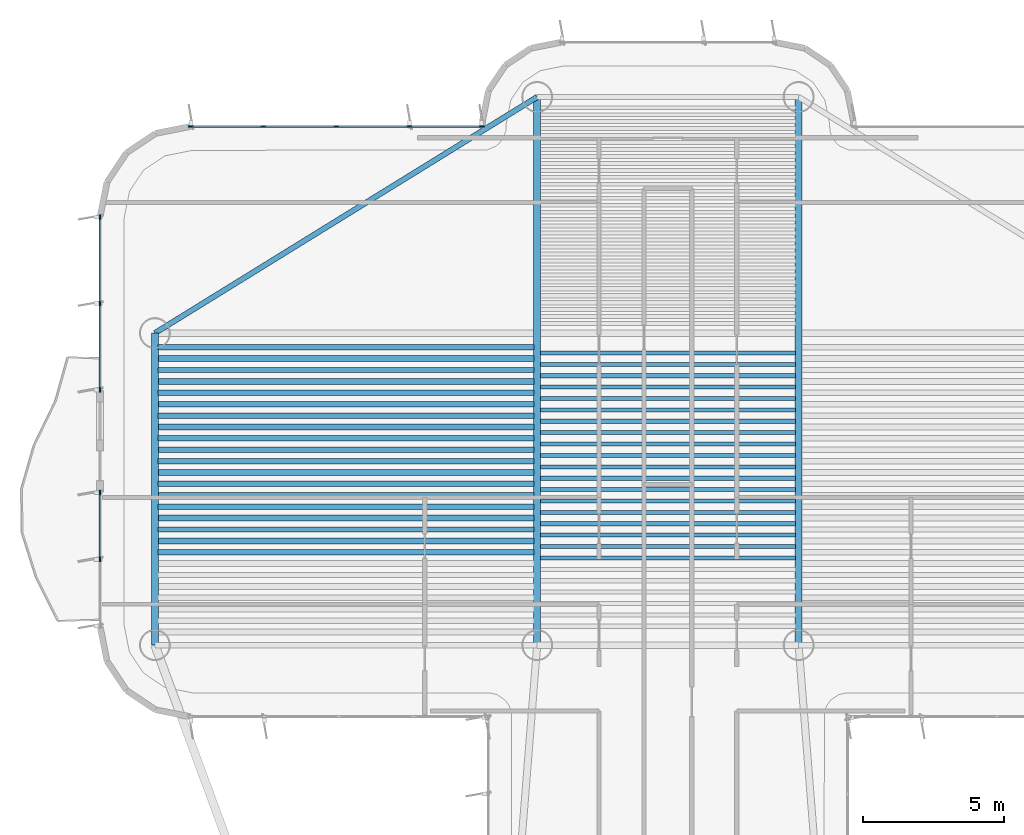
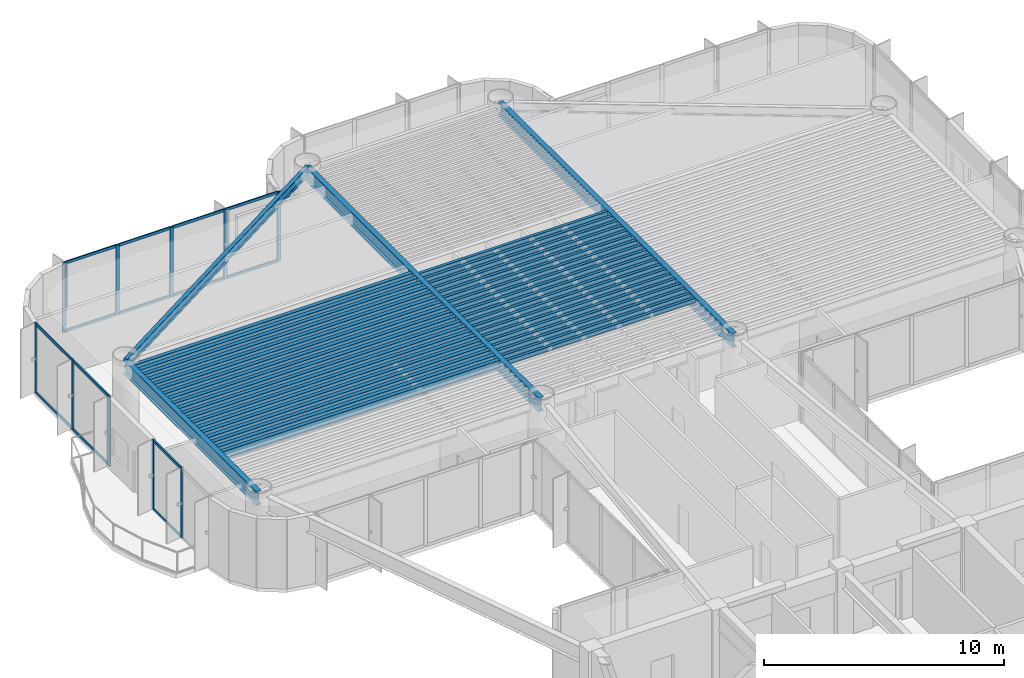
# One storey, part 5 of 14: 42 beams, 24 members, 3 elements without a shape of their own.
"""IFC4 building model written with IfcOpenShell, lengths in metres."""

from ifc_helpers import new_model, si_unit, direction, frame, origin, origin_2d, place, context, subcontext, project, spatial, rectangle, i_section, extrude, source, transform, mapped, material, layer, layer_set, material_profile, profile_set, type_object, element, aggregate, save


model = new_model("IFC4")

# Units and contexts
model_context = context("Model", 3, precision=1e-05, world=origin(), true_north=direction((0.0, 1.0)))
body_context = subcontext(model_context, "Body", "Model", "MODEL_VIEW")
ifc_project = project(units=[si_unit("LENGTHUNIT", "METRE"), si_unit("AREAUNIT", "SQUARE_METRE"), si_unit("VOLUMEUNIT", "CUBIC_METRE"), si_unit("PLANEANGLEUNIT", "RADIAN"), si_unit("MASSUNIT", "GRAM", prefix="KILO")], contexts=[model_context])

# Site, building, storey
site_placement = place(None, origin())
site = spatial("IfcSite", under=ifc_project, at=site_placement, CompositionType="ELEMENT")
building_placement = place(site_placement, origin())
building = spatial("IfcBuilding", under=site, at=building_placement, Name="Brelvock Crest Care Tower", CompositionType="ELEMENT")
storey_placement = place(building_placement, frame((0.0, 0.0, 175.320068359375)))
storey = spatial("IfcBuildingStorey", under=building, at=storey_placement, Name="L44", CompositionType="ELEMENT", Elevation=175.320068359375)

# Beams
ifc_material_1 = material(Name="Steel Grade 350", Category="steel")
ifc_material_profile_1 = material_profile(ifc_material_1, i_section(OverallWidth=0.14599609375, OverallDepth=0.256103515625, WebThickness=0.00634765625, FlangeThickness=0.010986328125, FilletRadius=0.0087890625, at=origin_2d()), Name="250UB37.3")
ifc_profile_set_1 = profile_set([ifc_material_profile_1], Name="Steel Grade 350")
beam_type_1 = type_object("IfcBeamType", Name="BM-J3", PredefinedType="JOIST", material=ifc_profile_set_1)
shared_shape_1 = source(origin(), body_context, "Body", "SweptSolid", [
    extrude(i_section(OverallWidth=0.14599609375, OverallDepth=0.256103515625, WebThickness=0.00634765625, FlangeThickness=0.010986328125, FilletRadius=0.0087890625, at=origin_2d()), origin(), (0.0, 0.0, 1.0), 9.06982421875),
])
for number, where, z_axis, x_axis, name in (
    (1, (31.465087890625, 38.0498046875, 3.40185546875), (1.0, 0.0, 0.0), (0.0, 1.0, 0.0), "BM-JH-L44-7"),
    (2, (31.465087890625, 38.454833984375, 3.40185546875), (1.0, 0.0, 0.0), (0.0, 1.0, 0.0), "BM-JH-L44-8"),
    (3, (31.465087890625, 38.860107421875, 3.40185546875), (1.0, 0.0, 0.0), (0.0, 1.0, 0.0), "BM-JH-L44-9"),
    (4, (31.465087890625, 39.26513671875, 3.40185546875), (1.0, 0.0, 0.0), (0.0, 1.0, 0.0), "BM-JH-L44-10"),
    (5, (31.465087890625, 39.67041015625, 3.40185546875), (1.0, 0.0, 0.0), (0.0, 1.0, 0.0), "BM-JH-L44-11"),
    (6, (31.465087890625, 40.075439453125, 3.40185546875), (1.0, 0.0, 0.0), (0.0, 1.0, 0.0), "BM-JH-L44-12"),
    (7, (31.465087890625, 40.480712890625, 3.40185546875), (1.0, 0.0, 0.0), (0.0, 1.0, 0.0), "BM-JH-L44-13"),
    (8, (31.465087890625, 40.8857421875, 3.40185546875), (1.0, 0.0, 0.0), (0.0, 1.0, 0.0), "BM-JH-L44-14"),
    (9, (31.465087890625, 41.291015625, 3.40185546875), (1.0, 0.0, 0.0), (0.0, 1.0, 0.0), "BM-JH-L44-15"),
    (10, (31.465087890625, 41.696044921875, 3.40185546875), (1.0, 0.0, 0.0), (0.0, 1.0, 0.0), "BM-JH-L44-16"),
    (11, (31.465087890625, 42.101318359375, 3.40185546875), (1.0, 0.0, 0.0), (0.0, 1.0, 0.0), "BM-JH-L44-17"),
    (12, (31.465087890625, 42.50634765625, 3.40185546875), (1.0, 0.0, 0.0), (0.0, 1.0, 0.0), "BM-JH-L44-18"),
    (13, (31.465087890625, 42.91162109375, 3.40185546875), (1.0, 0.0, 0.0), (0.0, 1.0, 0.0), "BM-JH-L44-19"),
    (14, (31.465087890625, 43.316650390625, 3.40185546875), (1.0, 0.0, 0.0), (0.0, 1.0, 0.0), "BM-JH-L44-20"),
    (15, (31.465087890625, 43.7216796875, 3.40185546875), (1.0, 0.0, 0.0), (0.0, 1.0, 0.0), "BM-JH-L44-21"),
    (16, (31.465087890625, 44.126953125, 3.40185546875), (1.0, 0.0, 0.0), (0.0, 1.0, 0.0), "BM-JH-L44-22"),
    (17, (31.465087890625, 44.531982421875, 3.40185546875), (1.0, 0.0, 0.0), (0.0, 1.0, 0.0), "BM-JH-L44-23"),
    (18, (31.465087890625, 44.937255859375, 3.40185546875), (1.0, 0.0, 0.0), (0.0, 1.0, 0.0), "BM-JH-L44-24"),
    (19, (31.465087890625, 45.34228515625, 3.40185546875), (1.0, 0.0, 0.0), (0.0, 1.0, 0.0), "BM-JH-L44-25"),
):
    element("IfcBeam", number, at=place(storey_placement, frame(where, z_axis=z_axis, x_axis=x_axis)), inside=storey, type_object=beam_type_1, Name=name, PredefinedType="JOIST", context=body_context, shape_type="MappedRepresentation", body=[
        mapped(shared_shape_1, transform((0.0, 0.0, 0.0), x_axis=(1.0, 0.0, 0.0), y_axis=(0.0, 1.0, 0.0), z_axis=(0.0, 0.0, 1.0), scale=1.0)),
    ])
ifc_material_profile_2 = material_profile(ifc_material_1, i_section(OverallWidth=0.208984375, OverallDepth=0.532958984375, WebThickness=0.01025390625, FlangeThickness=0.015625, FilletRadius=0.013916015625, at=origin_2d()), Name="530UB92.4")
ifc_profile_set_2 = profile_set([ifc_material_profile_2], Name="Steel Grade 350")
beam_type_2 = type_object("IfcBeamType", Name="BM-G2", PredefinedType="BEAM", material=ifc_profile_set_2)
shared_shape_2 = source(origin(), body_context, "Body", "SweptSolid", [
    extrude(i_section(OverallWidth=0.208984375, OverallDepth=0.532958984375, WebThickness=0.01025390625, FlangeThickness=0.015625, FilletRadius=0.013916015625, at=origin_2d()), origin(), (0.0, 0.0, 1.0), 13.3701171875),
])
for number, where, z_axis, x_axis, name in (
    (20, (17.864990234375, 38.657470703125, 3.263427734375), (1.0, 0.0, 0.0), (0.0, 1.0, 0.0), "BM-JW-L44-9"),
    (21, (17.864990234375, 39.4677734375, 3.263427734375), (1.0, 0.0, 0.0), (0.0, 1.0, 0.0), "BM-JW-L44-11"),
    (22, (17.864990234375, 40.278076171875, 3.263427734375), (1.0, 0.0, 0.0), (0.0, 1.0, 0.0), "BM-JW-L44-13"),
    (23, (17.864990234375, 41.08837890625, 3.263427734375), (1.0, 0.0, 0.0), (0.0, 1.0, 0.0), "BM-JW-L44-15"),
    (24, (17.864990234375, 41.898681640625, 3.263427734375), (1.0, 0.0, 0.0), (0.0, 1.0, 0.0), "BM-JW-L44-17"),
    (25, (17.864990234375, 42.708984375, 3.263427734375), (1.0, 0.0, 0.0), (0.0, 1.0, 0.0), "BM-JW-L44-19"),
    (26, (17.864990234375, 43.519287109375, 3.263427734375), (1.0, 0.0, 0.0), (0.0, 1.0, 0.0), "BM-JW-L44-21"),
    (27, (17.864990234375, 44.32958984375, 3.263427734375), (1.0, 0.0, 0.0), (0.0, 1.0, 0.0), "BM-JW-L44-23"),
    (28, (17.864990234375, 45.139892578125, 3.263427734375), (1.0, 0.0, 0.0), (0.0, 1.0, 0.0), "BM-JW-L44-25"),
):
    element("IfcBeam", number, at=place(storey_placement, frame(where, z_axis=z_axis, x_axis=x_axis)), inside=storey, type_object=beam_type_2, Name=name, PredefinedType="BEAM", context=body_context, shape_type="MappedRepresentation", body=[
        mapped(shared_shape_2, transform((0.0, 0.0, 0.0), x_axis=(1.0, 0.0, 0.0), y_axis=(0.0, 1.0, 0.0), z_axis=(0.0, 0.0, 1.0), scale=1.0)),
    ])
ifc_material_profile_3 = material_profile(ifc_material_1, i_section(OverallWidth=0.19091796875, OverallDepth=0.4599609375, WebThickness=0.010009765625, FlangeThickness=0.01611328125, FilletRadius=0.011474609375, at=origin_2d()), Name="460UB82.1")
ifc_profile_set_3 = profile_set([ifc_material_profile_3], Name="Steel Grade 350")
beam_type_3 = type_object("IfcBeamType", Name="BM-G3", PredefinedType="BEAM", material=ifc_profile_set_3)
shared_shape_3 = source(origin(), body_context, "Body", "SweptSolid", [
    extrude(i_section(OverallWidth=0.19091796875, OverallDepth=0.4599609375, WebThickness=0.010009765625, FlangeThickness=0.01611328125, FilletRadius=0.011474609375, at=origin_2d()), origin(), (0.0, 0.0, 1.0), 13.3701171875),
])
for number, where, z_axis, x_axis, name in (
    (29, (17.864990234375, 38.252197265625, 3.300048828125), (1.0, 0.0, 0.0), (0.0, 1.0, 0.0), "BM-JW-L44-8"),
    (30, (17.864990234375, 39.0625, 3.300048828125), (1.0, 0.0, 0.0), (0.0, 1.0, 0.0), "BM-JW-L44-10"),
    (31, (17.864990234375, 39.872802734375, 3.300048828125), (1.0, 0.0, 0.0), (0.0, 1.0, 0.0), "BM-JW-L44-12"),
    (32, (17.864990234375, 40.68310546875, 3.300048828125), (1.0, 0.0, 0.0), (0.0, 1.0, 0.0), "BM-JW-L44-14"),
    (33, (17.864990234375, 41.493408203125, 3.300048828125), (1.0, 0.0, 0.0), (0.0, 1.0, 0.0), "BM-JW-L44-16"),
    (34, (17.864990234375, 42.3037109375, 3.300048828125), (1.0, 0.0, 0.0), (0.0, 1.0, 0.0), "BM-JW-L44-18"),
    (35, (17.864990234375, 43.114013671875, 3.300048828125), (1.0, 0.0, 0.0), (0.0, 1.0, 0.0), "BM-JW-L44-20"),
    (36, (17.864990234375, 43.92431640625, 3.300048828125), (1.0, 0.0, 0.0), (0.0, 1.0, 0.0), "BM-JW-L44-22"),
    (37, (17.864990234375, 44.734619140625, 3.300048828125), (1.0, 0.0, 0.0), (0.0, 1.0, 0.0), "BM-JW-L44-24"),
    (38, (17.864990234375, 45.544921875, 3.300048828125), (1.0, 0.0, 0.0), (0.0, 1.0, 0.0), "BM-JW-L44-26"),
):
    element("IfcBeam", number, at=place(storey_placement, frame(where, z_axis=z_axis, x_axis=x_axis)), inside=storey, type_object=beam_type_3, Name=name, PredefinedType="BEAM", context=body_context, shape_type="MappedRepresentation", body=[
        mapped(shared_shape_3, transform((0.0, 0.0, 0.0), x_axis=(1.0, 0.0, 0.0), y_axis=(0.0, 1.0, 0.0), z_axis=(0.0, 0.0, 1.0), scale=1.0)),
    ])
ifc_material_profile_4 = material_profile(ifc_material_1, i_section(OverallWidth=0.25, OverallDepth=0.699951171875, WebThickness=0.011962890625, FlangeThickness=0.02001953125, at=origin_2d()), Name="700WB150")
ifc_profile_set_4 = profile_set([ifc_material_profile_4], Name="Steel Grade 350")
beam_type_4 = type_object("IfcBeamType", Name="BM-G4", PredefinedType="BEAM", material=ifc_profile_set_4)
shared_shape_4 = source(origin(), body_context, "Body", "SweptSolid", [
    extrude(i_section(OverallWidth=0.25, OverallDepth=0.699951171875, WebThickness=0.011962890625, FlangeThickness=0.02001953125, at=origin_2d()), origin(), (0.0, 0.0, 1.0), 11.10009765625),
])
beam_1_placement = place(storey_placement, frame((17.75, 34.949951171875, 3.179931640625), z_axis=(0.0, 1.0, 0.0), x_axis=(-1.0, 0.0, 0.0)))
element("IfcBeam", 39, at=beam_1_placement, inside=storey, type_object=beam_type_4, Name="BM-TWR-L44-01", PredefinedType="BEAM", context=body_context, shape_type="MappedRepresentation", body=[
    mapped(shared_shape_4, transform((0.0, 0.0, 0.0), x_axis=(1.0, 0.0, 0.0), y_axis=(0.0, 1.0, 0.0), z_axis=(0.0, 0.0, 1.0), scale=1.0)),
])
ifc_material_profile_5 = material_profile(ifc_material_1, i_section(OverallWidth=0.19091796875, OverallDepth=0.4599609375, WebThickness=0.010009765625, FlangeThickness=0.01611328125, FilletRadius=0.011474609375, at=origin_2d()), Name="460UB82.1")
ifc_profile_set_5 = profile_set([ifc_material_profile_5], Name="Steel Grade 350")
beam_type_5 = type_object("IfcBeamType", Name="BM-SP2", PredefinedType="SPANDREL", material=ifc_profile_set_5)
shared_shape_5 = source(origin(), body_context, "Body", "SweptSolid", [
    extrude(i_section(OverallWidth=0.19091796875, OverallDepth=0.4599609375, WebThickness=0.010009765625, FlangeThickness=0.01611328125, FilletRadius=0.011474609375, at=origin_2d()), origin(), (0.0, 0.0, 1.0), 15.985107421875),
])
beam_2_placement = place(storey_placement, frame((17.75, 46.050048828125, 3.300048828125), z_axis=(0.850802415717, 0.525485727124, 0.0), x_axis=(-0.525485727124, 0.850802415717, 0.0)))
element("IfcBeam", 40, at=beam_2_placement, inside=storey, type_object=beam_type_5, Name="BM-TWR-L44-06", PredefinedType="SPANDREL", context=body_context, shape_type="MappedRepresentation", body=[
    mapped(shared_shape_5, transform((0.0, 0.0, 0.0), x_axis=(1.0, 0.0, 0.0), y_axis=(0.0, 1.0, 0.0), z_axis=(0.0, 0.0, 1.0), scale=1.0)),
])
shared_shape_6 = source(origin(), body_context, "Body", "SweptSolid", [
    extrude(i_section(OverallWidth=0.25, OverallDepth=0.699951171875, WebThickness=0.011962890625, FlangeThickness=0.02001953125, at=origin_2d()), origin(), (0.0, 0.0, 1.0), 19.5),
])
for number, where, z_axis, x_axis, name in (
    (41, (31.35009765625, 34.949951171875, 3.179931640625), (0.0, 1.0, 0.0), (-1.0, 0.0, 0.0), "BM-TWR-L44-09"),
    (42, (40.64990234375, 34.949951171875, 3.179931640625), (0.0, 1.0, 0.0), (-1.0, 0.0, 0.0), "BM-TWR-L44-10"),
):
    element("IfcBeam", number, at=place(storey_placement, frame(where, z_axis=z_axis, x_axis=x_axis)), inside=storey, type_object=beam_type_4, Name=name, PredefinedType="BEAM", context=body_context, shape_type="MappedRepresentation", body=[
        mapped(shared_shape_6, transform((0.0, 0.0, 0.0), x_axis=(1.0, 0.0, 0.0), y_axis=(0.0, 1.0, 0.0), z_axis=(0.0, 0.0, 1.0), scale=1.0)),
    ])

# Curtain wall, members
ifc_material_2 = material(Name="Dark Glass Double Glazed Low-E", Category="glass")
ifc_layer = layer(ifc_material_2, 0.22509765625, Name="CWS-4")
ifc_layer_set = layer_set([ifc_layer], Name="Dark Glass Double Glazed Low-E")
curtain_wall_type = type_object("IfcCurtainWallType", Name="CWS-4", PredefinedType="NOTDEFINED", material=ifc_layer_set)
curtain_wall_1_placement = place(storey_placement, origin())
curtain_wall_1 = element("IfcCurtainWall", 43, at=curtain_wall_1_placement, inside=storey, type_object=curtain_wall_type, Name="L44 Curtain Wall E17A", PredefinedType="NOTDEFINED")
ifc_material_3 = material(Name="Aluminium 6063-T6", Category="aluminium")
ifc_material_profile_6 = material_profile(ifc_material_3, rectangle(XDim=0.06005859375, YDim=0.179931640625, at=origin_2d()), Name="ALU60x180")
ifc_profile_set_6 = profile_set([ifc_material_profile_6], Name="Aluminium 6063-T6")
member_type_1 = type_object("IfcMemberType", Name="CWM-2", PredefinedType="MULLION", material=ifc_profile_set_6)
shared_shape_7 = source(origin(), body_context, "Body", "SweptSolid", [
    extrude(rectangle(XDim=0.06005859375, YDim=0.179931640625, at=origin_2d()), origin(), (0.0, 0.0, 1.0), 3.530029296875),
])
member_1_placement = place(storey_placement, frame((15.800048828125, 38.0, 0.0), z_axis=(0.0, 0.0, 1.0), x_axis=(-1.0, 0.0, 0.0)))
member_1 = element("IfcMember", 44, at=member_1_placement, type_object=member_type_1, Name="CW-4 mullion 2", PredefinedType="MULLION", context=body_context, shape_type="MappedRepresentation", body=[
    mapped(shared_shape_7, transform((0.0, 0.0, 0.0), x_axis=(1.0, 0.0, 0.0), y_axis=(0.0, 1.0, 0.0), z_axis=(0.0, 0.0, 1.0), scale=1.0)),
])
member_2_placement = place(storey_placement, frame((15.800048828125, 40.3701171875, 0.0), z_axis=(0.0, 0.0, 1.0), x_axis=(-1.0, 0.0, 0.0)))
member_2 = element("IfcMember", 45, at=member_2_placement, type_object=member_type_1, Name="CW-4 mullion 3", PredefinedType="MULLION", context=body_context, shape_type="MappedRepresentation", body=[
    mapped(shared_shape_7, transform((0.0, 0.0, 0.0), x_axis=(1.0, 0.0, 0.0), y_axis=(0.0, 1.0, 0.0), z_axis=(0.0, 0.0, 1.0), scale=1.0)),
])

curtain_wall_2_placement = place(storey_placement, origin())
curtain_wall_2 = element("IfcCurtainWall", 46, at=curtain_wall_2_placement, inside=storey, type_object=curtain_wall_type, Name="L44 Curtain Wall E17B", PredefinedType="NOTDEFINED")
member_3_placement = place(storey_placement, frame((15.800048828125, 44.030029296875, 0.0), z_axis=(0.0, 0.0, 1.0), x_axis=(-1.0, 0.0, 0.0)))
member_3 = element("IfcMember", 47, at=member_3_placement, type_object=member_type_1, Name="CW-4 mullion 1", PredefinedType="MULLION", context=body_context, shape_type="MappedRepresentation", body=[
    mapped(shared_shape_7, transform((0.0, 0.0, 0.0), x_axis=(1.0, 0.0, 0.0), y_axis=(0.0, 1.0, 0.0), z_axis=(0.0, 0.0, 1.0), scale=1.0)),
])
member_4_placement = place(storey_placement, frame((15.800048828125, 47.10009765625, 0.0), z_axis=(0.0, 0.0, 1.0), x_axis=(-1.0, 0.0, 0.0)))
member_4 = element("IfcMember", 48, at=member_4_placement, type_object=member_type_1, Name="CW-4 mullion 2", PredefinedType="MULLION", context=body_context, shape_type="MappedRepresentation", body=[
    mapped(shared_shape_7, transform((0.0, 0.0, 0.0), x_axis=(1.0, 0.0, 0.0), y_axis=(0.0, 1.0, 0.0), z_axis=(0.0, 0.0, 1.0), scale=1.0)),
])
member_5_placement = place(storey_placement, frame((15.800048828125, 50.169921875, 0.0), z_axis=(0.0, 0.0, 1.0), x_axis=(-1.0, 0.0, 0.0)))
member_5 = element("IfcMember", 49, at=member_5_placement, type_object=member_type_1, Name="CW-4 mullion 3", PredefinedType="MULLION", context=body_context, shape_type="MappedRepresentation", body=[
    mapped(shared_shape_7, transform((0.0, 0.0, 0.0), x_axis=(1.0, 0.0, 0.0), y_axis=(0.0, 1.0, 0.0), z_axis=(0.0, 0.0, 1.0), scale=1.0)),
])

curtain_wall_3_placement = place(storey_placement, origin())
curtain_wall_3 = element("IfcCurtainWall", 50, at=curtain_wall_3_placement, inside=storey, type_object=curtain_wall_type, Name="L44 Curtain Wall E22", PredefinedType="NOTDEFINED")
member_6_placement = place(storey_placement, frame((19.030029296875, 53.39990234375, 0.0), z_axis=(0.0, 0.0, 1.0), x_axis=(0.0, 1.0, 0.0)))
member_6 = element("IfcMember", 51, at=member_6_placement, type_object=member_type_1, Name="CW-4 mullion 1", PredefinedType="MULLION", context=body_context, shape_type="MappedRepresentation", body=[
    mapped(shared_shape_7, transform((0.0, 0.0, 0.0), x_axis=(1.0, 0.0, 0.0), y_axis=(0.0, 1.0, 0.0), z_axis=(0.0, 0.0, 1.0), scale=1.0)),
])
member_7_placement = place(storey_placement, frame((21.60009765625, 53.39990234375, 0.0), z_axis=(0.0, 0.0, 1.0), x_axis=(0.0, 1.0, 0.0)))
member_7 = element("IfcMember", 52, at=member_7_placement, type_object=member_type_1, Name="CW-4 mullion 2", PredefinedType="MULLION", context=body_context, shape_type="MappedRepresentation", body=[
    mapped(shared_shape_7, transform((0.0, 0.0, 0.0), x_axis=(1.0, 0.0, 0.0), y_axis=(0.0, 1.0, 0.0), z_axis=(0.0, 0.0, 1.0), scale=1.0)),
])
member_8_placement = place(storey_placement, frame((24.199951171875, 53.39990234375, 0.0), z_axis=(0.0, 0.0, 1.0), x_axis=(0.0, 1.0, 0.0)))
member_8 = element("IfcMember", 53, at=member_8_placement, type_object=member_type_1, Name="CW-4 mullion 3", PredefinedType="MULLION", context=body_context, shape_type="MappedRepresentation", body=[
    mapped(shared_shape_7, transform((0.0, 0.0, 0.0), x_axis=(1.0, 0.0, 0.0), y_axis=(0.0, 1.0, 0.0), z_axis=(0.0, 0.0, 1.0), scale=1.0)),
])
member_9_placement = place(storey_placement, frame((26.800048828125, 53.39990234375, 0.0), z_axis=(0.0, 0.0, 1.0), x_axis=(0.0, 1.0, 0.0)))
member_9 = element("IfcMember", 54, at=member_9_placement, type_object=member_type_1, Name="CW-4 mullion 4", PredefinedType="MULLION", context=body_context, shape_type="MappedRepresentation", body=[
    mapped(shared_shape_7, transform((0.0, 0.0, 0.0), x_axis=(1.0, 0.0, 0.0), y_axis=(0.0, 1.0, 0.0), z_axis=(0.0, 0.0, 1.0), scale=1.0)),
])
member_10_placement = place(storey_placement, frame((29.3701171875, 53.39990234375, 0.0), z_axis=(0.0, 0.0, 1.0), x_axis=(0.0, 1.0, 0.0)))
member_10 = element("IfcMember", 55, at=member_10_placement, type_object=member_type_1, Name="CW-4 mullion 5", PredefinedType="MULLION", context=body_context, shape_type="MappedRepresentation", body=[
    mapped(shared_shape_7, transform((0.0, 0.0, 0.0), x_axis=(1.0, 0.0, 0.0), y_axis=(0.0, 1.0, 0.0), z_axis=(0.0, 0.0, 1.0), scale=1.0)),
])
ifc_material_profile_7 = material_profile(ifc_material_3, rectangle(XDim=0.06005859375, YDim=0.139892578125, at=origin_2d()), Name="ALU60x140")
ifc_profile_set_7 = profile_set([ifc_material_profile_7], Name="Aluminium 6063-T6")
member_type_2 = type_object("IfcMemberType", Name="CWT-2", PredefinedType="USERDEFINED", material=ifc_profile_set_7)
shared_shape_8 = source(origin(), body_context, "Body", "SweptSolid", [
    extrude(rectangle(XDim=0.06005859375, YDim=0.139892578125, at=origin_2d()), origin(), (0.0, 0.0, 1.0), 2.510009765625),
])
member_11_placement = place(storey_placement, frame((19.06005859375, 53.39990234375, 0.030029296875), z_axis=(1.0, 0.0, 0.0), x_axis=(0.0, 1.0, 0.0)))
member_11 = element("IfcMember", 56, at=member_11_placement, type_object=member_type_2, Name="CW-4 transom 1.1", ObjectType="TRANSOM", PredefinedType="USERDEFINED", context=body_context, shape_type="MappedRepresentation", body=[
    mapped(shared_shape_8, transform((0.0, 0.0, 0.0), x_axis=(1.0, 0.0, 0.0), y_axis=(0.0, 1.0, 0.0), z_axis=(0.0, 0.0, 1.0), scale=1.0)),
])
member_12_placement = place(storey_placement, frame((19.06005859375, 53.39990234375, 3.5), z_axis=(1.0, 0.0, 0.0), x_axis=(0.0, 1.0, 0.0)))
member_12 = element("IfcMember", 57, at=member_12_placement, type_object=member_type_2, Name="CW-4 transom 1.2", ObjectType="TRANSOM", PredefinedType="USERDEFINED", context=body_context, shape_type="MappedRepresentation", body=[
    mapped(shared_shape_8, transform((0.0, 0.0, 0.0), x_axis=(1.0, 0.0, 0.0), y_axis=(0.0, 1.0, 0.0), z_axis=(0.0, 0.0, 1.0), scale=1.0)),
])
member_13_placement = place(storey_placement, frame((26.830078125, 53.39990234375, 0.030029296875), z_axis=(1.0, 0.0, 0.0), x_axis=(0.0, 1.0, 0.0)))
member_13 = element("IfcMember", 58, at=member_13_placement, type_object=member_type_2, Name="CW-4 transom 4.1", ObjectType="TRANSOM", PredefinedType="USERDEFINED", context=body_context, shape_type="MappedRepresentation", body=[
    mapped(shared_shape_8, transform((0.0, 0.0, 0.0), x_axis=(1.0, 0.0, 0.0), y_axis=(0.0, 1.0, 0.0), z_axis=(0.0, 0.0, 1.0), scale=1.0)),
])
member_14_placement = place(storey_placement, frame((26.830078125, 53.39990234375, 3.5), z_axis=(1.0, 0.0, 0.0), x_axis=(0.0, 1.0, 0.0)))
member_14 = element("IfcMember", 59, at=member_14_placement, type_object=member_type_2, Name="CW-4 transom 4.2", ObjectType="TRANSOM", PredefinedType="USERDEFINED", context=body_context, shape_type="MappedRepresentation", body=[
    mapped(shared_shape_8, transform((0.0, 0.0, 0.0), x_axis=(1.0, 0.0, 0.0), y_axis=(0.0, 1.0, 0.0), z_axis=(0.0, 0.0, 1.0), scale=1.0)),
])
shared_shape_9 = source(origin(), body_context, "Body", "SweptSolid", [
    extrude(rectangle(XDim=0.06005859375, YDim=0.139892578125, at=origin_2d()), origin(), (0.0, 0.0, 1.0), 2.5400390625),
])
member_15_placement = place(storey_placement, frame((21.6298828125, 53.39990234375, 0.030029296875), z_axis=(1.0, 0.0, 0.0), x_axis=(0.0, 1.0, 0.0)))
member_15 = element("IfcMember", 60, at=member_15_placement, type_object=member_type_2, Name="CW-4 transom 2.1", ObjectType="TRANSOM", PredefinedType="USERDEFINED", context=body_context, shape_type="MappedRepresentation", body=[
    mapped(shared_shape_9, transform((0.0, 0.0, 0.0), x_axis=(1.0, 0.0, 0.0), y_axis=(0.0, 1.0, 0.0), z_axis=(0.0, 0.0, 1.0), scale=1.0)),
])
member_16_placement = place(storey_placement, frame((21.6298828125, 53.39990234375, 3.5), z_axis=(1.0, 0.0, 0.0), x_axis=(0.0, 1.0, 0.0)))
member_16 = element("IfcMember", 61, at=member_16_placement, type_object=member_type_2, Name="CW-4 transom 2.2", ObjectType="TRANSOM", PredefinedType="USERDEFINED", context=body_context, shape_type="MappedRepresentation", body=[
    mapped(shared_shape_9, transform((0.0, 0.0, 0.0), x_axis=(1.0, 0.0, 0.0), y_axis=(0.0, 1.0, 0.0), z_axis=(0.0, 0.0, 1.0), scale=1.0)),
])
member_17_placement = place(storey_placement, frame((24.22998046875, 53.39990234375, 0.030029296875), z_axis=(1.0, 0.0, 0.0), x_axis=(0.0, 1.0, 0.0)))
member_17 = element("IfcMember", 62, at=member_17_placement, type_object=member_type_2, Name="CW-4 transom 3.1", ObjectType="TRANSOM", PredefinedType="USERDEFINED", context=body_context, shape_type="MappedRepresentation", body=[
    mapped(shared_shape_9, transform((0.0, 0.0, 0.0), x_axis=(1.0, 0.0, 0.0), y_axis=(0.0, 1.0, 0.0), z_axis=(0.0, 0.0, 1.0), scale=1.0)),
])
member_18_placement = place(storey_placement, frame((24.22998046875, 53.39990234375, 3.5), z_axis=(1.0, 0.0, 0.0), x_axis=(0.0, 1.0, 0.0)))
member_18 = element("IfcMember", 63, at=member_18_placement, type_object=member_type_2, Name="CW-4 transom 3.2", ObjectType="TRANSOM", PredefinedType="USERDEFINED", context=body_context, shape_type="MappedRepresentation", body=[
    mapped(shared_shape_9, transform((0.0, 0.0, 0.0), x_axis=(1.0, 0.0, 0.0), y_axis=(0.0, 1.0, 0.0), z_axis=(0.0, 0.0, 1.0), scale=1.0)),
])
aggregate(curtain_wall_3, [member_6, member_7, member_8, member_9, member_10, member_11, member_12, member_15, member_16, member_17, member_18, member_13, member_14])

# Member
shared_shape_10 = source(origin(), body_context, "Body", "SweptSolid", [
    extrude(rectangle(XDim=0.06005859375, YDim=0.139892578125, at=origin_2d()), origin(), (0.0, 0.0, 1.0), 2.31005859375),
])
member_19_placement = place(storey_placement, frame((15.800048828125, 38.030029296875, 0.030029296875), z_axis=(0.0, 1.0, 0.0), x_axis=(-1.0, 0.0, 0.0)))
member_19 = element("IfcMember", 64, at=member_19_placement, type_object=member_type_2, Name="CW-4 transom 2.1", ObjectType="TRANSOM", PredefinedType="USERDEFINED", context=body_context, shape_type="MappedRepresentation", body=[
    mapped(shared_shape_10, transform((0.0, 0.0, 0.0), x_axis=(1.0, 0.0, 0.0), y_axis=(0.0, 1.0, 0.0), z_axis=(0.0, 0.0, 1.0), scale=1.0)),
])

member_20_placement = place(storey_placement, frame((15.800048828125, 38.030029296875, 3.5), z_axis=(0.0, 1.0, 0.0), x_axis=(-1.0, 0.0, 0.0)))
member_20 = element("IfcMember", 65, at=member_20_placement, type_object=member_type_2, Name="CW-4 transom 2.2", ObjectType="TRANSOM", PredefinedType="USERDEFINED", context=body_context, shape_type="MappedRepresentation", body=[
    mapped(shared_shape_10, transform((0.0, 0.0, 0.0), x_axis=(1.0, 0.0, 0.0), y_axis=(0.0, 1.0, 0.0), z_axis=(0.0, 0.0, 1.0), scale=1.0)),
])

aggregate(curtain_wall_1, [member_1, member_2, member_19, member_20])

shared_shape_11 = source(origin(), body_context, "Body", "SweptSolid", [
    extrude(rectangle(XDim=0.06005859375, YDim=0.139892578125, at=origin_2d()), origin(), (0.0, 0.0, 1.0), 3.010009765625),
])
member_21_placement = place(storey_placement, frame((15.800048828125, 44.06005859375, 0.030029296875), z_axis=(0.0, 1.0, 0.0), x_axis=(-1.0, 0.0, 0.0)))
member_21 = element("IfcMember", 66, at=member_21_placement, type_object=member_type_2, Name="CW-4 transom 1.1", ObjectType="TRANSOM", PredefinedType="USERDEFINED", context=body_context, shape_type="MappedRepresentation", body=[
    mapped(shared_shape_11, transform((0.0, 0.0, 0.0), x_axis=(1.0, 0.0, 0.0), y_axis=(0.0, 1.0, 0.0), z_axis=(0.0, 0.0, 1.0), scale=1.0)),
])

member_22_placement = place(storey_placement, frame((15.800048828125, 44.06005859375, 3.5), z_axis=(0.0, 1.0, 0.0), x_axis=(-1.0, 0.0, 0.0)))
member_22 = element("IfcMember", 67, at=member_22_placement, type_object=member_type_2, Name="CW-4 transom 1.2", ObjectType="TRANSOM", PredefinedType="USERDEFINED", context=body_context, shape_type="MappedRepresentation", body=[
    mapped(shared_shape_11, transform((0.0, 0.0, 0.0), x_axis=(1.0, 0.0, 0.0), y_axis=(0.0, 1.0, 0.0), z_axis=(0.0, 0.0, 1.0), scale=1.0)),
])

member_23_placement = place(storey_placement, frame((15.800048828125, 47.1298828125, 0.030029296875), z_axis=(0.0, 1.0, 0.0), x_axis=(-1.0, 0.0, 0.0)))
member_23 = element("IfcMember", 68, at=member_23_placement, type_object=member_type_2, Name="CW-4 transom 2.1", ObjectType="TRANSOM", PredefinedType="USERDEFINED", context=body_context, shape_type="MappedRepresentation", body=[
    mapped(shared_shape_11, transform((0.0, 0.0, 0.0), x_axis=(1.0, 0.0, 0.0), y_axis=(0.0, 1.0, 0.0), z_axis=(0.0, 0.0, 1.0), scale=1.0)),
])

member_24_placement = place(storey_placement, frame((15.800048828125, 47.1298828125, 3.5), z_axis=(0.0, 1.0, 0.0), x_axis=(-1.0, 0.0, 0.0)))
member_24 = element("IfcMember", 69, at=member_24_placement, type_object=member_type_2, Name="CW-4 transom 2.2", ObjectType="TRANSOM", PredefinedType="USERDEFINED", context=body_context, shape_type="MappedRepresentation", body=[
    mapped(shared_shape_11, transform((0.0, 0.0, 0.0), x_axis=(1.0, 0.0, 0.0), y_axis=(0.0, 1.0, 0.0), z_axis=(0.0, 0.0, 1.0), scale=1.0)),
])

aggregate(curtain_wall_2, [member_3, member_4, member_5, member_21, member_22, member_23, member_24])

save(model, "model.ifc")
